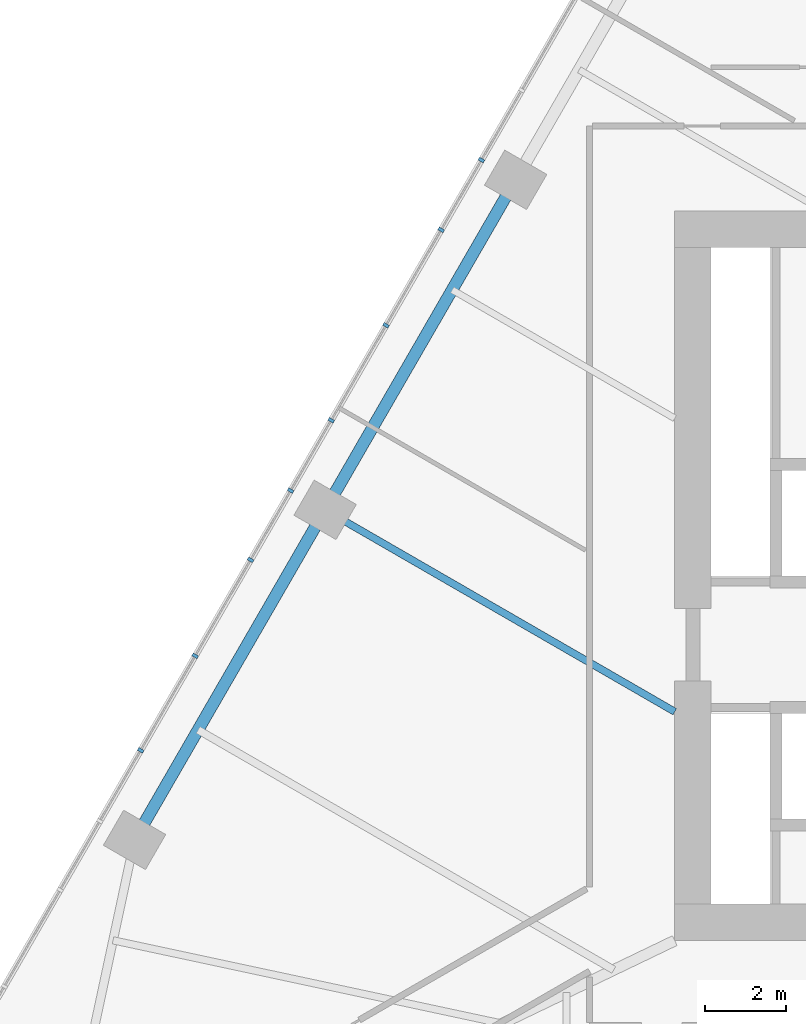
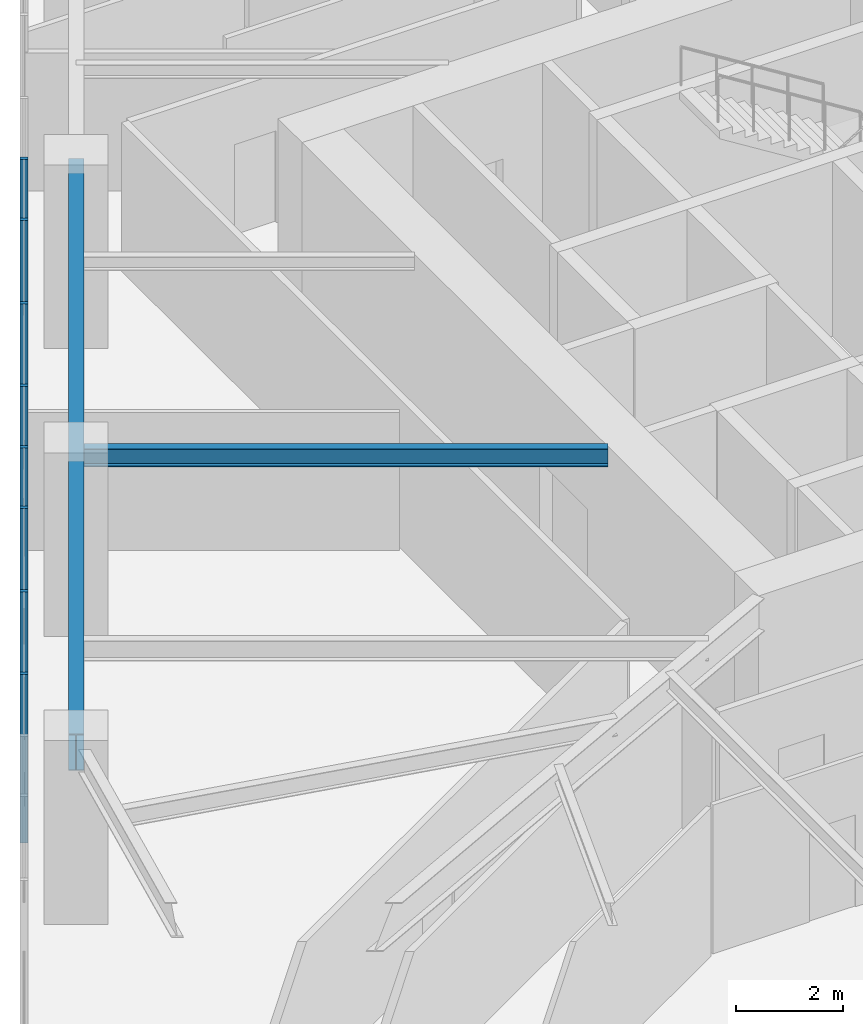
# One storey, part 4 of 21: 8 members, 2 beams, 1 element without a shape of its own.
"""IFC4 building model written with IfcOpenShell, lengths in metres."""

from ifc_helpers import new_model, si_unit, direction, frame, origin, origin_2d, place, context, subcontext, project, spatial, rectangle, i_section, extrude, material, layer, layer_set, material_profile, profile_set, type_object, element, aggregate, save


model = new_model("IFC4")

# Units and contexts
model_context = context("Model", 3, precision=1e-05, world=origin(), true_north=direction((0.0, 1.0)))
body_context = subcontext(model_context, "Body", "Model", "MODEL_VIEW")
ifc_project = project(units=[si_unit("LENGTHUNIT", "METRE"), si_unit("AREAUNIT", "SQUARE_METRE"), si_unit("VOLUMEUNIT", "CUBIC_METRE"), si_unit("PLANEANGLEUNIT", "RADIAN"), si_unit("MASSUNIT", "GRAM", prefix="KILO")], contexts=[model_context])

# Site, building, storey
site_placement = place(None, origin())
site = spatial("IfcSite", under=ifc_project, at=site_placement, CompositionType="ELEMENT")
building_placement = place(site_placement, origin())
building = spatial("IfcBuilding", under=site, at=building_placement, Name="Firuza Gate Tower and Library", CompositionType="ELEMENT")
storey_placement = place(building_placement, frame((0.0, 0.0, 94.60009765625)))
storey = spatial("IfcBuildingStorey", under=building, at=storey_placement, Name="L21", CompositionType="ELEMENT", Elevation=94.60009765625)

# Curtain wall, members
ifc_material_1 = material(Name="Aluminium 6063-T6", Category="aluminium")
ifc_layer = layer(ifc_material_1, 0.14990234375)
ifc_layer_set = layer_set([ifc_layer], Name="Unitised curtain wall, offices")
curtain_wall_type = type_object("IfcCurtainWallType", Name="Unitised curtain wall, offices", PredefinedType="NOTDEFINED", material=ifc_layer_set)
curtain_wall_placement = place(storey_placement, origin())
curtain_wall = element("IfcCurtainWall", 1, at=curtain_wall_placement, inside=storey, type_object=curtain_wall_type, Name="CW1 L21 W face", PredefinedType="NOTDEFINED")
ifc_material_2 = material(Name="Aluminium 6063-T6", Category="aluminium")
ifc_material_profile_1 = material_profile(ifc_material_2, rectangle(XDim=0.14990234375, YDim=0.080078125, at=origin_2d()))
ifc_profile_set_1 = profile_set([ifc_material_profile_1], Name="Aluminium 6063-T6")
member_type = type_object("IfcMemberType", Name="Curtain wall mullion 80x150", PredefinedType="MULLION", material=ifc_profile_set_1)
member_1_placement = place(storey_placement, frame((57.22998046875, 85.259521484375, 0.14990234375), z_axis=(0.0, 0.0, 1.0), x_axis=(0.866025403784, -0.5, 0.0)))
member_1 = element("IfcMember", 2, at=member_1_placement, type_object=member_type, Name="Mullion", PredefinedType="MULLION", context=body_context, shape_type="SweptSolid", body=[
    extrude(rectangle(XDim=0.14990234375, YDim=0.080078125, at=origin_2d()), origin(), (0.0, 0.0, 1.0), 3.85009765625),
])
member_2_placement = place(storey_placement, frame((54.87548828125, 81.181396484375, 0.14990234375), z_axis=(0.0, 0.0, 1.0), x_axis=(0.866025403784, -0.5, 0.0)))
member_2 = element("IfcMember", 3, at=member_2_placement, type_object=member_type, Name="Mullion", PredefinedType="MULLION", context=body_context, shape_type="SweptSolid", body=[
    extrude(rectangle(XDim=0.14990234375, YDim=0.080078125, at=origin_2d()), origin(), (0.0, 0.0, 1.0), 3.85009765625),
])
member_3_placement = place(storey_placement, frame((52.52099609375, 77.103515625, 0.14990234375), z_axis=(0.0, 0.0, 1.0), x_axis=(0.866025403784, -0.5, 0.0)))
member_3 = element("IfcMember", 4, at=member_3_placement, type_object=member_type, Name="Mullion", PredefinedType="MULLION", context=body_context, shape_type="SweptSolid", body=[
    extrude(rectangle(XDim=0.14990234375, YDim=0.080078125, at=origin_2d()), origin(), (0.0, 0.0, 1.0), 3.85009765625),
])
member_4_placement = place(storey_placement, frame((50.166748046875, 73.025390625, 0.14990234375), z_axis=(0.0, 0.0, 1.0), x_axis=(0.866025403784, -0.5, 0.0)))
member_4 = element("IfcMember", 5, at=member_4_placement, type_object=member_type, Name="Mullion", PredefinedType="MULLION", context=body_context, shape_type="SweptSolid", body=[
    extrude(rectangle(XDim=0.14990234375, YDim=0.080078125, at=origin_2d()), origin(), (0.0, 0.0, 1.0), 3.85009765625),
])
member_5_placement = place(storey_placement, frame((56.235595703125, 83.537353515625, 0.14990234375), z_axis=(0.0, 0.0, 1.0), x_axis=(0.866025403784, -0.5, 0.0)))
member_5 = element("IfcMember", 6, at=member_5_placement, type_object=member_type, Name="Mullion", PredefinedType="MULLION", context=body_context, shape_type="SweptSolid", body=[
    extrude(rectangle(XDim=0.14990234375, YDim=0.080078125, at=origin_2d()), origin(), (0.0, 0.0, 1.0), 3.85009765625),
])
member_6_placement = place(storey_placement, frame((53.522705078125, 78.838134765625, 0.14990234375), z_axis=(0.0, 0.0, 1.0), x_axis=(0.866025403784, -0.5, 0.0)))
member_6 = element("IfcMember", 7, at=member_6_placement, type_object=member_type, Name="Mullion", PredefinedType="MULLION", context=body_context, shape_type="SweptSolid", body=[
    extrude(rectangle(XDim=0.14990234375, YDim=0.080078125, at=origin_2d()), origin(), (0.0, 0.0, 1.0), 3.85009765625),
])
member_7_placement = place(storey_placement, frame((51.533935546875, 75.393798828125, 0.14990234375), z_axis=(0.0, 0.0, 1.0), x_axis=(0.866025403784, -0.5, 0.0)))
member_7 = element("IfcMember", 8, at=member_7_placement, type_object=member_type, Name="Mullion", PredefinedType="MULLION", context=body_context, shape_type="SweptSolid", body=[
    extrude(rectangle(XDim=0.14990234375, YDim=0.080078125, at=origin_2d()), origin(), (0.0, 0.0, 1.0), 3.85009765625),
])
member_8_placement = place(storey_placement, frame((48.821044921875, 70.694580078125, 0.14990234375), z_axis=(0.0, 0.0, 1.0), x_axis=(0.866025403784, -0.5, 0.0)))
member_8 = element("IfcMember", 9, at=member_8_placement, type_object=member_type, Name="Mullion", PredefinedType="MULLION", context=body_context, shape_type="SweptSolid", body=[
    extrude(rectangle(XDim=0.14990234375, YDim=0.080078125, at=origin_2d()), origin(), (0.0, 0.0, 1.0), 3.85009765625),
])
aggregate(curtain_wall, [member_1, member_2, member_3, member_4, member_5, member_6, member_7, member_8])

# Beams
ifc_material_3 = material(Name="Steel S355", Category="steel")
ifc_material_profile_2 = material_profile(ifc_material_3, i_section(OverallWidth=0.177978515625, OverallDepth=0.406982421875, WebThickness=0.0078125, FlangeThickness=0.0126953125, at=origin_2d()))
ifc_profile_set_2 = profile_set([ifc_material_profile_2], Name="Steel S355")
beam_type_1 = type_object("IfcBeamType", Name="W410x60 Floor beam", PredefinedType="JOIST", material=ifc_profile_set_2)
beam_1_placement = place(storey_placement, frame((53.372802734375, 76.62841796875, 3.79638671875), z_axis=(0.866023562183, -0.500003189735, 0.0), x_axis=(0.500003189735, 0.866023562183, 0.0)))
element("IfcBeam", 10, at=beam_1_placement, inside=storey, type_object=beam_type_1, Name="Floor beam L21 s84", PredefinedType="JOIST", context=body_context, shape_type="SweptSolid", body=[
    extrude(i_section(OverallWidth=0.177978515625, OverallDepth=0.406982421875, WebThickness=0.0078125, FlangeThickness=0.0126953125, at=origin_2d()), origin(), (0.0, 0.0, 1.0), 9.9619140625),
])
ifc_material_4 = material(Name="Steel S355", Category="steel")
ifc_material_profile_3 = material_profile(ifc_material_4, i_section(OverallWidth=0.2919921875, OverallDepth=0.8349609375, WebThickness=0.013916015625, FlangeThickness=0.018798828125, at=origin_2d()))
ifc_profile_set_3 = profile_set([ifc_material_profile_3], Name="Steel S355")
beam_type_2 = type_object("IfcBeamType", Name="W840x176 Edge beam", PredefinedType="SPANDREL", material=ifc_profile_set_3)
beam_2_placement = place(storey_placement, frame((58.074462890625, 84.77197265625, 3.58251953125), z_axis=(-0.500007874956, -0.866020857129, 0.0), x_axis=(0.866020857129, -0.500007874956, 0.0)))
element("IfcBeam", 11, at=beam_2_placement, inside=storey, type_object=beam_type_2, Name="Edge beam L21 e82", PredefinedType="SPANDREL", context=body_context, shape_type="SweptSolid", body=[
    extrude(i_section(OverallWidth=0.2919921875, OverallDepth=0.8349609375, WebThickness=0.013916015625, FlangeThickness=0.018798828125, at=origin_2d()), origin(), (0.0, 0.0, 1.0), 18.806884765625),
])

save(model, "model.ifc")
